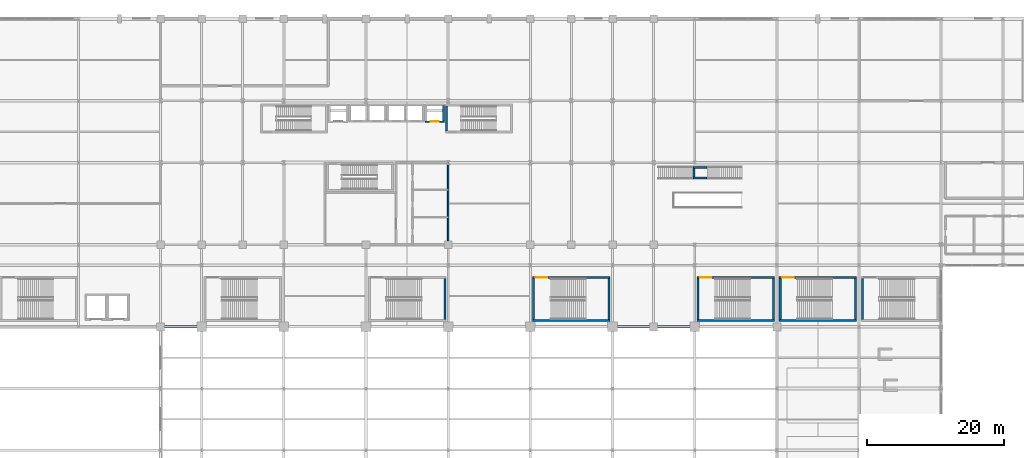
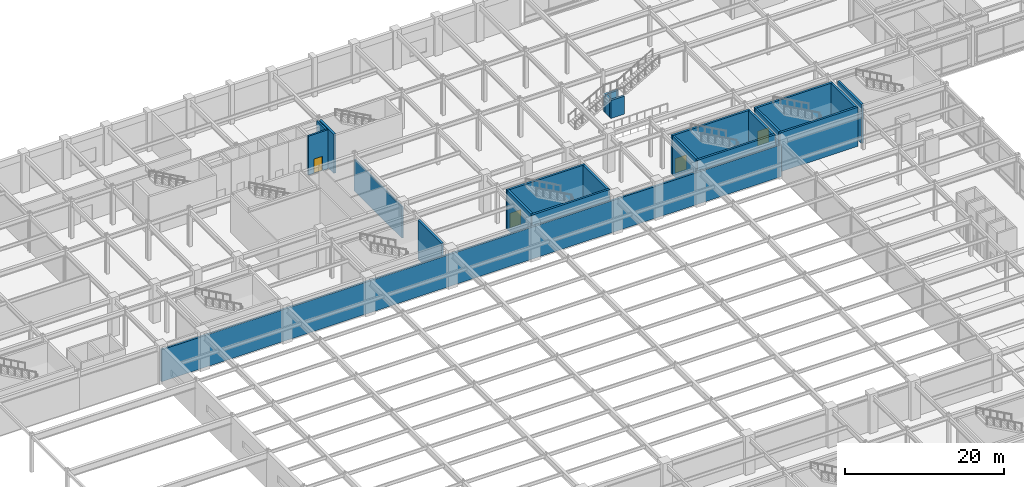
# One storey, part 88 of 105: 22 walls, 4 doors, 4 openings.
"""IFC4 building model written with IfcOpenShell, lengths in metres."""

from ifc_helpers import new_model, si_unit, direction, frame, frame_2d, origin, place, context, subcontext, project, spatial, rectangle, extrude, material, layer, layer_set, type_object, element, fill, save


model = new_model("IFC4")

# Units and contexts
model_context = context("Model", 3, precision=1e-05, world=origin(), true_north=direction((0.0, 1.0)))
body_context = subcontext(model_context, "Body", "Model", "MODEL_VIEW")
ifc_project = project(units=[si_unit("LENGTHUNIT", "METRE"), si_unit("AREAUNIT", "SQUARE_METRE"), si_unit("VOLUMEUNIT", "CUBIC_METRE"), si_unit("PLANEANGLEUNIT", "RADIAN"), si_unit("MASSUNIT", "GRAM", prefix="KILO")], contexts=[model_context])

# Site, building, storey
site_placement = place(None, origin())
site = spatial("IfcSite", under=ifc_project, at=site_placement, CompositionType="ELEMENT")
building_placement = place(site_placement, origin())
building = spatial("IfcBuilding", under=site, at=building_placement, Name="Kaldorvane Square Convention Centre", CompositionType="ELEMENT")
storey_placement = place(building_placement, frame((0.0, 0.0, 6.0)))
storey = spatial("IfcBuildingStorey", under=building, at=storey_placement, Name="L01", CompositionType="ELEMENT", Elevation=6.0)

# Walls
ifc_material_1 = material(Name="Reinforced Concrete Masonry Acoustic Partition", Category="masonry")
ifc_layer_1 = layer(ifc_material_1, 0.279998779296875)
ifc_layer_set_1 = layer_set([ifc_layer_1], Name="Reinforced Concrete Masonry Acoustic Partition")
wall_type_1 = type_object("IfcWallType", Name="WL-ACO-280", PredefinedType="PARTITIONING", material=ifc_layer_set_1)
wall_1_placement = place(storey_placement, frame((114.0, 72.0, 0.0), z_axis=(0.0, 0.0, 1.0), x_axis=(-1.0, 0.0, 0.0)))
element("IfcWall", 1, at=wall_1_placement, inside=storey, type_object=wall_type_1, Name="Exhibition Hall Upper Enclosure N (L01)", PredefinedType="PARTITIONING", context=body_context, shape_type="SweptSolid", body=[
    extrude(rectangle(XDim=90.0, YDim=0.279998779296875, at=frame_2d((45.0, 0.0))), origin(), (0.0, 0.0, 1.0), 4.9019927978515625),
])
ifc_material_2 = material(Name="Fire-Rated Gypsum Board on Acoustic Steel Studs", Category="steel")
ifc_layer_2 = layer(ifc_material_2, 0.1999969482421875)
ifc_layer_set_2 = layer_set([ifc_layer_2], Name="Fire-Rated Gypsum Board on Acoustic Steel Studs")
wall_type_2 = type_object("IfcWallType", Name="WL-CORR-200", PredefinedType="PARTITIONING", material=ifc_layer_set_2)
wall_2_placement = place(storey_placement, frame((66.0, 84.0, 0.0), z_axis=(0.0, 0.0, 1.0), x_axis=(0.0, 1.0, 0.0)))
element("IfcWall", 2, at=wall_2_placement, inside=storey, type_object=wall_type_2, Name="Restroom East Wall (L01)", PredefinedType="PARTITIONING", context=body_context, shape_type="SweptSolid", body=[
    extrude(rectangle(XDim=12.0, YDim=0.1999969482421875, at=frame_2d((6.0, 0.0))), origin(), (0.0, 0.0, 1.0), 4.8300018310546875),
])
ifc_material_3 = material(Name="Concrete f'c = 55 MPa (Normalweight)", Category="concrete")
ifc_layer_3 = layer(ifc_material_3, 0.3000030517578125)
ifc_layer_set_3 = layer_set([ifc_layer_3], Name="Concrete f'c = 55 MPa (Normalweight)")
wall_type_3 = type_object("IfcWallType", Name="WL-SHAFT-300", PredefinedType="SHEAR", material=ifc_layer_set_3)
wall_3_placement = place(storey_placement, frame((65.75, 104.25, 0.0), z_axis=(0.0, 0.0, 1.0), x_axis=(0.0, -1.0, 0.0)))
element("IfcWall", 3, at=wall_3_placement, inside=storey, type_object=wall_type_3, Name="Core Enclosure Wall stair:ST-T2-W (L01)", PredefinedType="SHEAR", context=body_context, shape_type="SweptSolid", body=[
    extrude(rectangle(XDim=3.6399993896484375, YDim=0.3000030517578125, at=frame_2d((1.82000732421875, 0.0))), origin(), (0.0, 0.0, 1.0), 6.0),
])
wall_4_placement = place(storey_placement, frame((65.50999450683594, 73.10000610351562, 0.0), z_axis=(0.0, 0.0, 1.0), x_axis=(0.0, 1.0, 0.0)))
element("IfcWall", 4, at=wall_4_placement, inside=storey, type_object=wall_type_3, Name="Core Enclosure Wall stair:ST-C14-E (L01)", PredefinedType="SHEAR", context=body_context, shape_type="SweptSolid", body=[
    extrude(rectangle(XDim=5.959991455078125, YDim=0.3000030517578125, at=frame_2d((2.9799957275390625, 0.0))), origin(), (0.0, 0.0, 1.0), 6.0),
])
wall_5_placement = place(storey_placement, frame((78.33999633789062, 72.94999694824219, 0.0), z_axis=(0.0, 0.0, 1.0), x_axis=(1.0, 0.0, 0.0)))
element("IfcWall", 5, at=wall_5_placement, inside=storey, type_object=wall_type_3, Name="Core Enclosure Wall stair:ST-C15-S (L01)", PredefinedType="SHEAR", context=body_context, shape_type="SweptSolid", body=[
    extrude(rectangle(XDim=11.32000732421875, YDim=0.3000030517578125, at=frame_2d((5.660003662109375, 0.0))), origin(), (0.0, 0.0, 1.0), 6.0),
])

# Wall, opening, door
wall_6_placement = place(storey_placement, frame((89.66000366210938, 79.21000671386719, 0.0), z_axis=(0.0, 0.0, 1.0), x_axis=(-1.0, 0.0, 0.0)))
wall_6 = element("IfcWall", 6, at=wall_6_placement, inside=storey, type_object=wall_type_3, Name="Core Enclosure Wall stair:ST-C15-N (L01)", PredefinedType="SHEAR", context=body_context, shape_type="SweptSolid", body=[
    extrude(rectangle(XDim=11.32000732421875, YDim=0.3000030517578125, at=frame_2d((5.660003662109375, 0.0))), origin(), (0.0, 0.0, 1.0), 6.0),
])
opening_1_placement = place(wall_6_placement, frame((9.220001220703125, 0.0, 0.0)))
opening_1 = element("IfcOpeningElement", 7, at=opening_1_placement, cuts=wall_6, Name="Opening FD90-S2", PredefinedType="OPENING", context=body_context, shape_type="SweptSolid", body=[
    extrude(rectangle(XDim=1.649993896484375, YDim=2.25, at=frame_2d((0.8249969482421875, 1.125))), frame((0.0, 0.165008544921875, 0.0), z_axis=(0.0, -1.0, 0.0), x_axis=(1.0, 0.0, 0.0)), (0.0, 0.0, 1.0), 0.3300018310546875),
])
ifc_material_4 = material(Name="Fire-Rated Hollow Metal Steel", Category="steel")
door_type_1 = type_object("IfcDoorType", Name="DR-STAIR-1650", OperationType="DOUBLE_DOOR_SINGLE_SWING", PredefinedType="DOOR", material=ifc_material_4)
door_1_placement = place(opening_1_placement, origin())
door_1 = element("IfcDoor", 8, at=door_1_placement, inside=storey, type_object=door_type_1, Name="Convention Exit Stair C15 Fire Door (L01)", OperationType="DOUBLE_DOOR_SINGLE_SWING", OverallHeight=2.25, OverallWidth=1.649993896484375, PredefinedType="DOOR", context=body_context, shape_type="SweptSolid", body=[
    extrude(rectangle(XDim=1.649993896484375, YDim=2.25, at=frame_2d((0.8249969482421875, 1.125))), frame((0.0, 0.024993896484375, 0.0), z_axis=(0.0, -1.0, 0.0), x_axis=(1.0, 0.0, 0.0)), (0.0, 0.0, 1.0), 0.0500030517578125),
])
fill(opening_1, door_1)

# Walls
for number, where, z_axis, x_axis, name in (
    (9, (78.49000549316406, 79.05999755859375, 0.0), (0.0, 0.0, 1.0), (0.0, -1.0, 0.0), "Core Enclosure Wall stair:ST-C15-W (L01)"),
    (10, (89.50999450683594, 73.10000610351562, 0.0), (0.0, 0.0, 1.0), (0.0, 1.0, 0.0), "Core Enclosure Wall stair:ST-C15-E (L01)"),
):
    element("IfcWall", number, at=place(storey_placement, frame(where, z_axis=z_axis, x_axis=x_axis)), inside=storey, type_object=wall_type_3, Name=name, PredefinedType="SHEAR", context=body_context, shape_type="SweptSolid", body=[
        extrude(rectangle(XDim=5.959991455078125, YDim=0.3000030517578125, at=frame_2d((2.9799957275390625, 0.0))), origin(), (0.0, 0.0, 1.0), 6.0),
    ])
wall_7_placement = place(storey_placement, frame((102.33999633789062, 72.94999694824219, 0.0), z_axis=(0.0, 0.0, 1.0), x_axis=(1.0, 0.0, 0.0)))
element("IfcWall", 11, at=wall_7_placement, inside=storey, type_object=wall_type_3, Name="Core Enclosure Wall stair:ST-C16-S (L01)", PredefinedType="SHEAR", context=body_context, shape_type="SweptSolid", body=[
    extrude(rectangle(XDim=11.32000732421875, YDim=0.3000030517578125, at=frame_2d((5.660003662109375, 0.0))), origin(), (0.0, 0.0, 1.0), 6.0),
])

# Wall, opening, door
wall_8_placement = place(storey_placement, frame((113.66000366210938, 79.21000671386719, 0.0), z_axis=(0.0, 0.0, 1.0), x_axis=(-1.0, 0.0, 0.0)))
wall_8 = element("IfcWall", 12, at=wall_8_placement, inside=storey, type_object=wall_type_3, Name="Core Enclosure Wall stair:ST-C16-N (L01)", PredefinedType="SHEAR", context=body_context, shape_type="SweptSolid", body=[
    extrude(rectangle(XDim=11.32000732421875, YDim=0.3000030517578125, at=frame_2d((5.660003662109375, 0.0))), origin(), (0.0, 0.0, 1.0), 6.0),
])
opening_2_placement = place(wall_8_placement, frame((9.220001220703125, 0.0, 0.0)))
opening_2 = element("IfcOpeningElement", 13, at=opening_2_placement, cuts=wall_8, Name="Opening FD90-S2", PredefinedType="OPENING", context=body_context, shape_type="SweptSolid", body=[
    extrude(rectangle(XDim=1.649993896484375, YDim=2.25, at=frame_2d((0.8249969482421875, 1.125))), frame((0.0, 0.165008544921875, 0.0), z_axis=(0.0, -1.0, 0.0), x_axis=(1.0, 0.0, 0.0)), (0.0, 0.0, 1.0), 0.3300018310546875),
])
door_2_placement = place(opening_2_placement, origin())
door_2 = element("IfcDoor", 14, at=door_2_placement, inside=storey, type_object=door_type_1, Name="Convention Exit Stair C16 Fire Door (L01)", OperationType="DOUBLE_DOOR_SINGLE_SWING", OverallHeight=2.25, OverallWidth=1.649993896484375, PredefinedType="DOOR", context=body_context, shape_type="SweptSolid", body=[
    extrude(rectangle(XDim=1.649993896484375, YDim=2.25, at=frame_2d((0.8249969482421875, 1.125))), frame((0.0, 0.024993896484375, 0.0), z_axis=(0.0, -1.0, 0.0), x_axis=(1.0, 0.0, 0.0)), (0.0, 0.0, 1.0), 0.0500030517578125),
])
fill(opening_2, door_2)

# Walls
for number, where, z_axis, x_axis, name in (
    (15, (102.49000549316406, 79.05999755859375, 0.0), (0.0, 0.0, 1.0), (0.0, -1.0, 0.0), "Core Enclosure Wall stair:ST-C16-W (L01)"),
    (16, (113.50999450683594, 73.10000610351562, 0.0), (0.0, 0.0, 1.0), (0.0, 1.0, 0.0), "Core Enclosure Wall stair:ST-C16-E (L01)"),
):
    element("IfcWall", number, at=place(storey_placement, frame(where, z_axis=z_axis, x_axis=x_axis)), inside=storey, type_object=wall_type_3, Name=name, PredefinedType="SHEAR", context=body_context, shape_type="SweptSolid", body=[
        extrude(rectangle(XDim=5.959991455078125, YDim=0.3000030517578125, at=frame_2d((2.9799957275390625, 0.0))), origin(), (0.0, 0.0, 1.0), 6.0),
    ])
wall_9_placement = place(storey_placement, frame((114.33999633789062, 72.94999694824219, 0.0), z_axis=(0.0, 0.0, 1.0), x_axis=(1.0, 0.0, 0.0)))
element("IfcWall", 17, at=wall_9_placement, inside=storey, type_object=wall_type_3, Name="Core Enclosure Wall stair:ST-C17-S (L01)", PredefinedType="SHEAR", context=body_context, shape_type="SweptSolid", body=[
    extrude(rectangle(XDim=11.32000732421875, YDim=0.3000030517578125, at=frame_2d((5.660003662109375, 0.0))), origin(), (0.0, 0.0, 1.0), 6.0),
])

# Wall, opening, door
wall_10_placement = place(storey_placement, frame((125.66000366210938, 79.21000671386719, 0.0), z_axis=(0.0, 0.0, 1.0), x_axis=(-1.0, 0.0, 0.0)))
wall_10 = element("IfcWall", 18, at=wall_10_placement, inside=storey, type_object=wall_type_3, Name="Core Enclosure Wall stair:ST-C17-N (L01)", PredefinedType="SHEAR", context=body_context, shape_type="SweptSolid", body=[
    extrude(rectangle(XDim=11.32000732421875, YDim=0.3000030517578125, at=frame_2d((5.660003662109375, 0.0))), origin(), (0.0, 0.0, 1.0), 6.0),
])
opening_3_placement = place(wall_10_placement, frame((9.220001220703125, 0.0, 0.0)))
opening_3 = element("IfcOpeningElement", 19, at=opening_3_placement, cuts=wall_10, Name="Opening FD90-S2", PredefinedType="OPENING", context=body_context, shape_type="SweptSolid", body=[
    extrude(rectangle(XDim=1.649993896484375, YDim=2.25, at=frame_2d((0.8249969482421875, 1.125))), frame((0.0, 0.165008544921875, 0.0), z_axis=(0.0, -1.0, 0.0), x_axis=(1.0, 0.0, 0.0)), (0.0, 0.0, 1.0), 0.3300018310546875),
])
door_3_placement = place(opening_3_placement, origin())
door_3 = element("IfcDoor", 20, at=door_3_placement, inside=storey, type_object=door_type_1, Name="Convention Exit Stair C17 Fire Door (L01)", OperationType="DOUBLE_DOOR_SINGLE_SWING", OverallHeight=2.25, OverallWidth=1.649993896484375, PredefinedType="DOOR", context=body_context, shape_type="SweptSolid", body=[
    extrude(rectangle(XDim=1.649993896484375, YDim=2.25, at=frame_2d((0.8249969482421875, 1.125))), frame((0.0, 0.024993896484375, 0.0), z_axis=(0.0, -1.0, 0.0), x_axis=(1.0, 0.0, 0.0)), (0.0, 0.0, 1.0), 0.0500030517578125),
])
fill(opening_3, door_3)

# Walls
for number, where, z_axis, x_axis, name in (
    (21, (114.49000549316406, 79.05999755859375, 0.0), (0.0, 0.0, 1.0), (0.0, -1.0, 0.0), "Core Enclosure Wall stair:ST-C17-W (L01)"),
    (22, (125.50999450683594, 73.10000610351562, 0.0), (0.0, 0.0, 1.0), (0.0, 1.0, 0.0), "Core Enclosure Wall stair:ST-C17-E (L01)"),
    (23, (126.49000549316406, 79.05999755859375, 0.0), (0.0, 0.0, 1.0), (0.0, -1.0, 0.0), "Core Enclosure Wall stair:ST-C18-W (L01)"),
):
    element("IfcWall", number, at=place(storey_placement, frame(where, z_axis=z_axis, x_axis=x_axis)), inside=storey, type_object=wall_type_3, Name=name, PredefinedType="SHEAR", context=body_context, shape_type="SweptSolid", body=[
        extrude(rectangle(XDim=5.959991455078125, YDim=0.3000030517578125, at=frame_2d((2.9799957275390625, 0.0))), origin(), (0.0, 0.0, 1.0), 6.0),
    ])
for number, where, z_axis, x_axis, name in (
    (24, (101.77999877929688, 93.75, 0.0), (0.0, 0.0, 1.0), (1.0, 0.0, 0.0), "Hotel Atrium Grand Stair F6 Support Pier S (L01)"),
    (25, (101.77999877929688, 95.25, 0.0), (0.0, 0.0, 1.0), (1.0, 0.0, 0.0), "Hotel Atrium Grand Stair F6 Support Pier N (L01)"),
):
    element("IfcWall", number, at=place(storey_placement, frame(where, z_axis=z_axis, x_axis=x_axis)), inside=storey, type_object=wall_type_3, Name=name, PredefinedType="SHEAR", context=body_context, shape_type="SweptSolid", body=[
        extrude(rectangle(XDim=2.0, YDim=0.3000030517578125, at=frame_2d((1.0, 0.0))), origin(), (0.0, 0.0, 1.0), 2.7599945068359375),
    ])
wall_11_placement = place(storey_placement, frame((101.92999267578125, 93.89999389648438, 0.0), z_axis=(0.0, 0.0, 1.0), x_axis=(0.0, 1.0, 0.0)))
element("IfcWall", 26, at=wall_11_placement, inside=storey, type_object=wall_type_3, Name="Hotel Atrium Grand Stair F6 Support Pier W (L01)", PredefinedType="SHEAR", context=body_context, shape_type="SweptSolid", body=[
    extrude(rectangle(XDim=1.20001220703125, YDim=0.3000030517578125, at=frame_2d((0.600006103515625, 0.0))), origin(), (0.0, 0.0, 1.0), 2.7599945068359375),
])

# Wall, opening, door
wall_12_placement = place(storey_placement, frame((62.649993896484375, 101.97500610351562, 0.0), z_axis=(0.0, 0.0, 1.0), x_axis=(1.0, 0.0, 0.0)))
wall_12 = element("IfcWall", 27, at=wall_12_placement, inside=storey, type_object=wall_type_3, Name="Core Enclosure Wall lift:FSAE-02-S (L01)", PredefinedType="SHEAR", context=body_context, shape_type="SweptSolid", body=[
    extrude(rectangle(XDim=2.8000030517578125, YDim=0.25, at=frame_2d((1.399993896484375, 0.0))), origin(), (0.0, 0.0, 1.0), 6.0),
])
opening_4_placement = place(wall_12_placement, frame((0.8000030517578125, 0.0, 0.0)))
opening_4 = element("IfcOpeningElement", 28, at=opening_4_placement, cuts=wall_12, Name="Opening LD-02", PredefinedType="OPENING", context=body_context, shape_type="SweptSolid", body=[
    extrude(rectangle(XDim=1.1999969482421875, YDim=2.1999969482421875, at=frame_2d((0.600006103515625, 1.100006103515625))), frame((0.0, 0.1399993896484375, 0.0), z_axis=(0.0, -1.0, 0.0), x_axis=(1.0, 0.0, 0.0)), (0.0, 0.0, 1.0), 0.279998779296875),
])
ifc_material_5 = material(Name="Stainless Steel Elevator Door Assembly", Category="steel")
door_type_2 = type_object("IfcDoorType", Name="DR-LIFT-1200", OperationType="DOUBLE_DOOR_SLIDING", PredefinedType="DOOR", material=ifc_material_5)
door_4_placement = place(opening_4_placement, origin())
door_4 = element("IfcDoor", 29, at=door_4_placement, inside=storey, type_object=door_type_2, Name="Elevator Landing Door FSAE-02 (L01)", OperationType="DOUBLE_DOOR_SLIDING", OverallHeight=2.1999969482421875, OverallWidth=1.1999969482421875, PredefinedType="DOOR", context=body_context, shape_type="SweptSolid", body=[
    extrude(rectangle(XDim=1.1999969482421875, YDim=2.1999969482421875, at=frame_2d((0.600006103515625, 1.100006103515625))), frame((0.0, 0.024993896484375, 0.0), z_axis=(0.0, -1.0, 0.0), x_axis=(1.0, 0.0, 0.0)), (0.0, 0.0, 1.0), 0.0500030517578125),
])
fill(opening_4, door_4)

# Wall
wall_13_placement = place(storey_placement, frame((65.32499694824219, 102.10000610351562, 0.0), z_axis=(0.0, 0.0, 1.0), x_axis=(0.0, 1.0, 0.0)))
element("IfcWall", 30, at=wall_13_placement, inside=storey, type_object=wall_type_3, Name="Core Enclosure Wall lift:FSAE-02-E (L01)", PredefinedType="SHEAR", context=body_context, shape_type="SweptSolid", body=[
    extrude(rectangle(XDim=2.1999969482421875, YDim=0.25, at=frame_2d((1.100006103515625, 0.0))), origin(), (0.0, 0.0, 1.0), 6.0),
])

save(model, "model.ifc")
